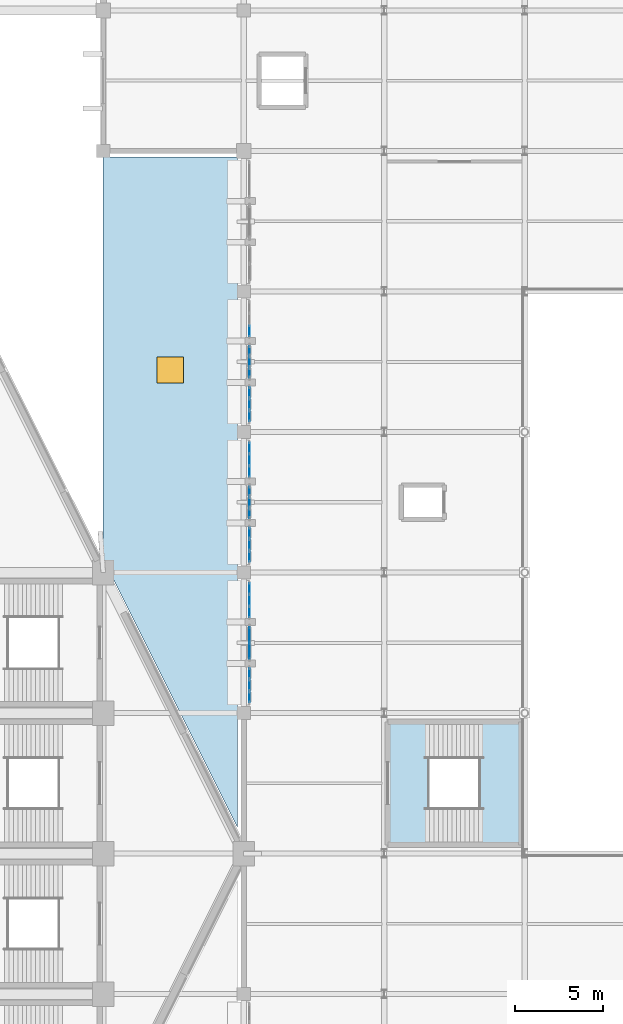
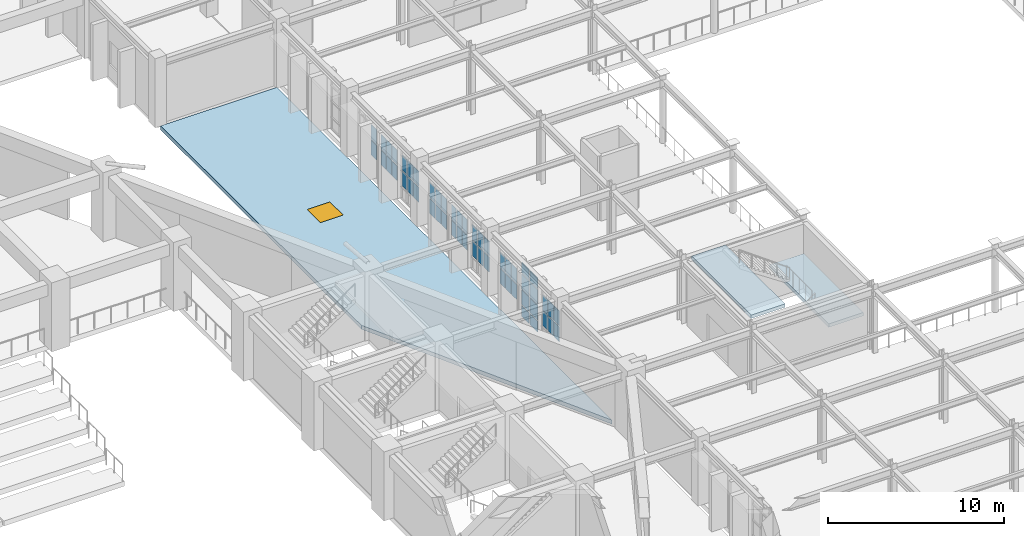
# One storey, part 113 of 155: 52 plates, 3 slabs, 1 window, 1 opening, 10 elements without a shape of their own.
"""IFC4 building model written with IfcOpenShell, lengths in metres."""

from ifc_helpers import new_model, si_unit, direction, frame, origin, origin_2d, place, context, subcontext, project, spatial, polyline, rectangle, outline, extrude, material, layer, layer_set, type_object, element, fill, aggregate, save


model = new_model("IFC4")

# Units and contexts
model_context = context("Model", 3, precision=1e-05, world=origin(), true_north=direction((0.0, 1.0)))
body_context = subcontext(model_context, "Body", "Model", "MODEL_VIEW")
ifc_project = project(units=[si_unit("LENGTHUNIT", "METRE"), si_unit("AREAUNIT", "SQUARE_METRE"), si_unit("VOLUMEUNIT", "CUBIC_METRE"), si_unit("PLANEANGLEUNIT", "RADIAN"), si_unit("MASSUNIT", "GRAM", prefix="KILO")], contexts=[model_context])

# Site, building, storey
site_placement = place(None, origin())
site = spatial("IfcSite", under=ifc_project, at=site_placement, CompositionType="ELEMENT")
building_placement = place(site_placement, origin())
building = spatial("IfcBuilding", under=site, at=building_placement, Name="Tazarka Park Arena", CompositionType="ELEMENT")
storey_placement = place(building_placement, frame((0.0, 0.0, 5.39990234375)))
storey = spatial("IfcBuildingStorey", under=building, at=storey_placement, Name="L01", CompositionType="ELEMENT", Elevation=5.39990234375)

# Curtain wall, plates
ifc_material_1 = material(Name="Aluminium and low-e glass", Category="aluminium")
ifc_layer_1 = layer(ifc_material_1, 0.179931640625, Name="Aluminium and low-e glass")
ifc_layer_set_1 = layer_set([ifc_layer_1], Name="Aluminium and low-e glass")
curtain_wall_type_1 = type_object("IfcCurtainWallType", Name="CW-03", PredefinedType="NOTDEFINED", material=ifc_layer_set_1)
curtain_wall_1_placement = place(storey_placement, origin())
curtain_wall_1 = element("IfcCurtainWall", 1, at=curtain_wall_1_placement, inside=storey, type_object=curtain_wall_type_1, Name="Curtain Wall CWA-L01-153", PredefinedType="NOTDEFINED")
ifc_material_2 = material(Name="Double low-e insulated glazing", Category="glass")
ifc_layer_2 = layer(ifc_material_2, 0.028076171875, Name="Double low-e insulated glazing")
ifc_layer_set_2 = layer_set([ifc_layer_2], Name="Double low-e insulated glazing")
plate_type_1 = type_object("IfcPlateType", Name="CWP-01", PredefinedType="CURTAIN_PANEL", material=ifc_layer_set_2)
plate_1_placement = place(storey_placement, frame((136.320068359375, 93.750244140625, 0.8828125), z_axis=(0.0, 0.0, 1.0), x_axis=(0.0, 1.0, 0.0)))
plate_1 = element("IfcPlate", 2, at=plate_1_placement, type_object=plate_type_1, Name="CW-03 panel 1.2", PredefinedType="CURTAIN_PANEL", context=body_context, shape_type="SweptSolid", body=[
    extrude(rectangle(XDim=0.5869140625, YDim=0.028076171875, at=origin_2d()), origin(), (0.0, 0.0, 1.0), 1.034912109375),
])
plate_2_placement = place(storey_placement, frame((136.320068359375, 93.750244140625, 1.982421875), z_axis=(0.0, 0.0, 1.0), x_axis=(0.0, 1.0, 0.0)))
plate_2 = element("IfcPlate", 3, at=plate_2_placement, type_object=plate_type_1, Name="CW-03 panel 1.3", PredefinedType="CURTAIN_PANEL", context=body_context, shape_type="SweptSolid", body=[
    extrude(rectangle(XDim=0.5869140625, YDim=0.028076171875, at=origin_2d()), origin(), (0.0, 0.0, 1.0), 1.034912109375),
])
aggregate(curtain_wall_1, [plate_1, plate_2])

ifc_material_3 = material(Name="Aluminium and low-e glass", Category="aluminium")
ifc_layer_3 = layer(ifc_material_3, 0.179931640625, Name="Aluminium and low-e glass")
ifc_layer_set_3 = layer_set([ifc_layer_3], Name="Aluminium and low-e glass")
curtain_wall_type_2 = type_object("IfcCurtainWallType", Name="CW-06", PredefinedType="NOTDEFINED", material=ifc_layer_set_3)
curtain_wall_2_placement = place(storey_placement, origin())
curtain_wall_2 = element("IfcCurtainWall", 4, at=curtain_wall_2_placement, inside=storey, type_object=curtain_wall_type_2, Name="Curtain Wall CWA-L01-156", PredefinedType="NOTDEFINED")
plate_3_placement = place(storey_placement, frame((136.320068359375, 85.750244140625, 0.8828125), z_axis=(0.0, 0.0, 1.0), x_axis=(0.0, 1.0, 0.0)))
plate_3 = element("IfcPlate", 5, at=plate_3_placement, type_object=plate_type_1, Name="CW-06 panel 1.2", PredefinedType="CURTAIN_PANEL", context=body_context, shape_type="SweptSolid", body=[
    extrude(rectangle(XDim=0.5869140625, YDim=0.028076171875, at=origin_2d()), origin(), (0.0, 0.0, 1.0), 1.034912109375),
])
plate_4_placement = place(storey_placement, frame((136.320068359375, 85.750244140625, 1.982421875), z_axis=(0.0, 0.0, 1.0), x_axis=(0.0, 1.0, 0.0)))
plate_4 = element("IfcPlate", 6, at=plate_4_placement, type_object=plate_type_1, Name="CW-06 panel 1.3", PredefinedType="CURTAIN_PANEL", context=body_context, shape_type="SweptSolid", body=[
    extrude(rectangle(XDim=0.5869140625, YDim=0.028076171875, at=origin_2d()), origin(), (0.0, 0.0, 1.0), 1.034912109375),
])
plate_5_placement = place(storey_placement, frame((136.320068359375, 86.41845703125, 0.8828125), z_axis=(0.0, 0.0, 1.0), x_axis=(0.0, 1.0, 0.0)))
plate_5 = element("IfcPlate", 7, at=plate_5_placement, type_object=plate_type_1, Name="CW-06 panel 2.2", PredefinedType="CURTAIN_PANEL", context=body_context, shape_type="SweptSolid", body=[
    extrude(rectangle(XDim=0.619384765625, YDim=0.028076171875, at=origin_2d()), origin(), (0.0, 0.0, 1.0), 1.034912109375),
])
plate_6_placement = place(storey_placement, frame((136.320068359375, 86.41845703125, 1.982421875), z_axis=(0.0, 0.0, 1.0), x_axis=(0.0, 1.0, 0.0)))
plate_6 = element("IfcPlate", 8, at=plate_6_placement, type_object=plate_type_1, Name="CW-06 panel 2.3", PredefinedType="CURTAIN_PANEL", context=body_context, shape_type="SweptSolid", body=[
    extrude(rectangle(XDim=0.619384765625, YDim=0.028076171875, at=origin_2d()), origin(), (0.0, 0.0, 1.0), 1.034912109375),
])
plate_7_placement = place(storey_placement, frame((136.320068359375, 87.08642578125, 0.8828125), z_axis=(0.0, 0.0, 1.0), x_axis=(0.0, 1.0, 0.0)))
plate_7 = element("IfcPlate", 9, at=plate_7_placement, type_object=plate_type_1, Name="CW-06 panel 3.2", PredefinedType="CURTAIN_PANEL", context=body_context, shape_type="SweptSolid", body=[
    extrude(rectangle(XDim=0.5869140625, YDim=0.028076171875, at=origin_2d()), origin(), (0.0, 0.0, 1.0), 1.034912109375),
])
plate_8_placement = place(storey_placement, frame((136.320068359375, 87.08642578125, 1.982421875), z_axis=(0.0, 0.0, 1.0), x_axis=(0.0, 1.0, 0.0)))
plate_8 = element("IfcPlate", 10, at=plate_8_placement, type_object=plate_type_1, Name="CW-06 panel 3.3", PredefinedType="CURTAIN_PANEL", context=body_context, shape_type="SweptSolid", body=[
    extrude(rectangle(XDim=0.5869140625, YDim=0.028076171875, at=origin_2d()), origin(), (0.0, 0.0, 1.0), 1.034912109375),
])
aggregate(curtain_wall_2, [plate_3, plate_4, plate_5, plate_6, plate_7, plate_8])

ifc_material_4 = material(Name="Aluminium and low-e glass", Category="aluminium")
ifc_layer_4 = layer(ifc_material_4, 0.179931640625, Name="Aluminium and low-e glass")
ifc_layer_set_4 = layer_set([ifc_layer_4], Name="Aluminium and low-e glass")
curtain_wall_type_3 = type_object("IfcCurtainWallType", Name="CW-09", PredefinedType="NOTDEFINED", material=ifc_layer_set_4)
curtain_wall_3_placement = place(storey_placement, origin())
curtain_wall_3 = element("IfcCurtainWall", 11, at=curtain_wall_3_placement, inside=storey, type_object=curtain_wall_type_3, Name="Curtain Wall CWA-L01-159", PredefinedType="NOTDEFINED")
plate_9_placement = place(storey_placement, frame((136.320068359375, 77.750244140625, 0.8828125), z_axis=(0.0, 0.0, 1.0), x_axis=(0.0, 1.0, 0.0)))
plate_9 = element("IfcPlate", 12, at=plate_9_placement, type_object=plate_type_1, Name="CW-09 panel 1.2", PredefinedType="CURTAIN_PANEL", context=body_context, shape_type="SweptSolid", body=[
    extrude(rectangle(XDim=0.5869140625, YDim=0.028076171875, at=origin_2d()), origin(), (0.0, 0.0, 1.0), 1.034912109375),
])
plate_10_placement = place(storey_placement, frame((136.320068359375, 77.750244140625, 1.982421875), z_axis=(0.0, 0.0, 1.0), x_axis=(0.0, 1.0, 0.0)))
plate_10 = element("IfcPlate", 13, at=plate_10_placement, type_object=plate_type_1, Name="CW-09 panel 1.3", PredefinedType="CURTAIN_PANEL", context=body_context, shape_type="SweptSolid", body=[
    extrude(rectangle(XDim=0.5869140625, YDim=0.028076171875, at=origin_2d()), origin(), (0.0, 0.0, 1.0), 1.034912109375),
])
plate_11_placement = place(storey_placement, frame((136.320068359375, 78.41845703125, 0.8828125), z_axis=(0.0, 0.0, 1.0), x_axis=(0.0, 1.0, 0.0)))
plate_11 = element("IfcPlate", 14, at=plate_11_placement, type_object=plate_type_1, Name="CW-09 panel 2.2", PredefinedType="CURTAIN_PANEL", context=body_context, shape_type="SweptSolid", body=[
    extrude(rectangle(XDim=0.619384765625, YDim=0.028076171875, at=origin_2d()), origin(), (0.0, 0.0, 1.0), 1.034912109375),
])
plate_12_placement = place(storey_placement, frame((136.320068359375, 78.41845703125, 1.982421875), z_axis=(0.0, 0.0, 1.0), x_axis=(0.0, 1.0, 0.0)))
plate_12 = element("IfcPlate", 15, at=plate_12_placement, type_object=plate_type_1, Name="CW-09 panel 2.3", PredefinedType="CURTAIN_PANEL", context=body_context, shape_type="SweptSolid", body=[
    extrude(rectangle(XDim=0.619384765625, YDim=0.028076171875, at=origin_2d()), origin(), (0.0, 0.0, 1.0), 1.034912109375),
])
plate_13_placement = place(storey_placement, frame((136.320068359375, 79.08642578125, 0.8828125), z_axis=(0.0, 0.0, 1.0), x_axis=(0.0, 1.0, 0.0)))
plate_13 = element("IfcPlate", 16, at=plate_13_placement, type_object=plate_type_1, Name="CW-09 panel 3.2", PredefinedType="CURTAIN_PANEL", context=body_context, shape_type="SweptSolid", body=[
    extrude(rectangle(XDim=0.5869140625, YDim=0.028076171875, at=origin_2d()), origin(), (0.0, 0.0, 1.0), 1.034912109375),
])
plate_14_placement = place(storey_placement, frame((136.320068359375, 79.08642578125, 1.982421875), z_axis=(0.0, 0.0, 1.0), x_axis=(0.0, 1.0, 0.0)))
plate_14 = element("IfcPlate", 17, at=plate_14_placement, type_object=plate_type_1, Name="CW-09 panel 3.3", PredefinedType="CURTAIN_PANEL", context=body_context, shape_type="SweptSolid", body=[
    extrude(rectangle(XDim=0.5869140625, YDim=0.028076171875, at=origin_2d()), origin(), (0.0, 0.0, 1.0), 1.034912109375),
])
aggregate(curtain_wall_3, [plate_9, plate_10, plate_11, plate_12, plate_13, plate_14])

ifc_material_5 = material(Name="Aluminium and low-e glass", Category="aluminium")
ifc_layer_5 = layer(ifc_material_5, 0.179931640625, Name="Aluminium and low-e glass")
ifc_layer_set_5 = layer_set([ifc_layer_5], Name="Aluminium and low-e glass")
curtain_wall_type_4 = type_object("IfcCurtainWallType", Name="CW-01", PredefinedType="NOTDEFINED", material=ifc_layer_set_5)
curtain_wall_4_placement = place(storey_placement, origin())
curtain_wall_4 = element("IfcCurtainWall", 18, at=curtain_wall_4_placement, inside=storey, type_object=curtain_wall_type_4, Name="Curtain Wall CWA-L01-151", PredefinedType="NOTDEFINED")
ifc_material_6 = material(Name="Triple acoustic solar glazing", Category="glass")
ifc_layer_6 = layer(ifc_material_6, 0.031982421875, Name="Triple acoustic solar glazing")
ifc_layer_set_6 = layer_set([ifc_layer_6], Name="Triple acoustic solar glazing")
plate_type_2 = type_object("IfcPlateType", Name="CWP-02", PredefinedType="CURTAIN_PANEL", material=ifc_layer_set_6)
plate_15_placement = place(storey_placement, frame((136.320068359375, 88.91357421875, 0.8828125), z_axis=(0.0, 0.0, 1.0), x_axis=(0.0, 1.0, 0.0)))
plate_15 = element("IfcPlate", 19, at=plate_15_placement, type_object=plate_type_2, Name="CW-01 panel 1.2", PredefinedType="CURTAIN_PANEL", context=body_context, shape_type="SweptSolid", body=[
    extrude(rectangle(XDim=0.5869140625, YDim=0.031982421875, at=origin_2d()), origin(), (0.0, 0.0, 1.0), 1.034912109375),
])
plate_16_placement = place(storey_placement, frame((136.320068359375, 88.91357421875, 1.982421875), z_axis=(0.0, 0.0, 1.0), x_axis=(0.0, 1.0, 0.0)))
plate_16 = element("IfcPlate", 20, at=plate_16_placement, type_object=plate_type_2, Name="CW-01 panel 1.3", PredefinedType="CURTAIN_PANEL", context=body_context, shape_type="SweptSolid", body=[
    extrude(rectangle(XDim=0.5869140625, YDim=0.031982421875, at=origin_2d()), origin(), (0.0, 0.0, 1.0), 1.034912109375),
])
plate_17_placement = place(storey_placement, frame((136.320068359375, 89.58154296875, 0.8828125), z_axis=(0.0, 0.0, 1.0), x_axis=(0.0, 1.0, 0.0)))
plate_17 = element("IfcPlate", 21, at=plate_17_placement, type_object=plate_type_2, Name="CW-01 panel 2.2", PredefinedType="CURTAIN_PANEL", context=body_context, shape_type="SweptSolid", body=[
    extrude(rectangle(XDim=0.619384765625, YDim=0.031982421875, at=origin_2d()), origin(), (0.0, 0.0, 1.0), 1.034912109375),
])
plate_18_placement = place(storey_placement, frame((136.320068359375, 89.58154296875, 1.982421875), z_axis=(0.0, 0.0, 1.0), x_axis=(0.0, 1.0, 0.0)))
plate_18 = element("IfcPlate", 22, at=plate_18_placement, type_object=plate_type_2, Name="CW-01 panel 2.3", PredefinedType="CURTAIN_PANEL", context=body_context, shape_type="SweptSolid", body=[
    extrude(rectangle(XDim=0.619384765625, YDim=0.031982421875, at=origin_2d()), origin(), (0.0, 0.0, 1.0), 1.034912109375),
])
plate_19_placement = place(storey_placement, frame((136.320068359375, 90.249755859375, 0.8828125), z_axis=(0.0, 0.0, 1.0), x_axis=(0.0, 1.0, 0.0)))
plate_19 = element("IfcPlate", 23, at=plate_19_placement, type_object=plate_type_2, Name="CW-01 panel 3.2", PredefinedType="CURTAIN_PANEL", context=body_context, shape_type="SweptSolid", body=[
    extrude(rectangle(XDim=0.5869140625, YDim=0.031982421875, at=origin_2d()), origin(), (0.0, 0.0, 1.0), 1.034912109375),
])
plate_20_placement = place(storey_placement, frame((136.320068359375, 90.249755859375, 1.982421875), z_axis=(0.0, 0.0, 1.0), x_axis=(0.0, 1.0, 0.0)))
plate_20 = element("IfcPlate", 24, at=plate_20_placement, type_object=plate_type_2, Name="CW-01 panel 3.3", PredefinedType="CURTAIN_PANEL", context=body_context, shape_type="SweptSolid", body=[
    extrude(rectangle(XDim=0.5869140625, YDim=0.031982421875, at=origin_2d()), origin(), (0.0, 0.0, 1.0), 1.034912109375),
])
aggregate(curtain_wall_4, [plate_15, plate_16, plate_17, plate_18, plate_19, plate_20])

ifc_material_7 = material(Name="Aluminium and low-e glass", Category="aluminium")
ifc_layer_7 = layer(ifc_material_7, 0.179931640625, Name="Aluminium and low-e glass")
ifc_layer_set_7 = layer_set([ifc_layer_7], Name="Aluminium and low-e glass")
curtain_wall_type_5 = type_object("IfcCurtainWallType", Name="CW-04", PredefinedType="NOTDEFINED", material=ifc_layer_set_7)
curtain_wall_5_placement = place(storey_placement, origin())
curtain_wall_5 = element("IfcCurtainWall", 25, at=curtain_wall_5_placement, inside=storey, type_object=curtain_wall_type_5, Name="Curtain Wall CWA-L01-154", PredefinedType="NOTDEFINED")
plate_21_placement = place(storey_placement, frame((136.320068359375, 80.91357421875, 0.8828125), z_axis=(0.0, 0.0, 1.0), x_axis=(0.0, 1.0, 0.0)))
plate_21 = element("IfcPlate", 26, at=plate_21_placement, type_object=plate_type_2, Name="CW-04 panel 1.2", PredefinedType="CURTAIN_PANEL", context=body_context, shape_type="SweptSolid", body=[
    extrude(rectangle(XDim=0.5869140625, YDim=0.031982421875, at=origin_2d()), origin(), (0.0, 0.0, 1.0), 1.034912109375),
])
plate_22_placement = place(storey_placement, frame((136.320068359375, 80.91357421875, 1.982421875), z_axis=(0.0, 0.0, 1.0), x_axis=(0.0, 1.0, 0.0)))
plate_22 = element("IfcPlate", 27, at=plate_22_placement, type_object=plate_type_2, Name="CW-04 panel 1.3", PredefinedType="CURTAIN_PANEL", context=body_context, shape_type="SweptSolid", body=[
    extrude(rectangle(XDim=0.5869140625, YDim=0.031982421875, at=origin_2d()), origin(), (0.0, 0.0, 1.0), 1.034912109375),
])
plate_23_placement = place(storey_placement, frame((136.320068359375, 81.58154296875, 0.8828125), z_axis=(0.0, 0.0, 1.0), x_axis=(0.0, 1.0, 0.0)))
plate_23 = element("IfcPlate", 28, at=plate_23_placement, type_object=plate_type_2, Name="CW-04 panel 2.2", PredefinedType="CURTAIN_PANEL", context=body_context, shape_type="SweptSolid", body=[
    extrude(rectangle(XDim=0.619384765625, YDim=0.031982421875, at=origin_2d()), origin(), (0.0, 0.0, 1.0), 1.034912109375),
])
plate_24_placement = place(storey_placement, frame((136.320068359375, 81.58154296875, 1.982421875), z_axis=(0.0, 0.0, 1.0), x_axis=(0.0, 1.0, 0.0)))
plate_24 = element("IfcPlate", 29, at=plate_24_placement, type_object=plate_type_2, Name="CW-04 panel 2.3", PredefinedType="CURTAIN_PANEL", context=body_context, shape_type="SweptSolid", body=[
    extrude(rectangle(XDim=0.619384765625, YDim=0.031982421875, at=origin_2d()), origin(), (0.0, 0.0, 1.0), 1.034912109375),
])
plate_25_placement = place(storey_placement, frame((136.320068359375, 82.249755859375, 0.8828125), z_axis=(0.0, 0.0, 1.0), x_axis=(0.0, 1.0, 0.0)))
plate_25 = element("IfcPlate", 30, at=plate_25_placement, type_object=plate_type_2, Name="CW-04 panel 3.2", PredefinedType="CURTAIN_PANEL", context=body_context, shape_type="SweptSolid", body=[
    extrude(rectangle(XDim=0.5869140625, YDim=0.031982421875, at=origin_2d()), origin(), (0.0, 0.0, 1.0), 1.034912109375),
])
plate_26_placement = place(storey_placement, frame((136.320068359375, 82.249755859375, 1.982421875), z_axis=(0.0, 0.0, 1.0), x_axis=(0.0, 1.0, 0.0)))
plate_26 = element("IfcPlate", 31, at=plate_26_placement, type_object=plate_type_2, Name="CW-04 panel 3.3", PredefinedType="CURTAIN_PANEL", context=body_context, shape_type="SweptSolid", body=[
    extrude(rectangle(XDim=0.5869140625, YDim=0.031982421875, at=origin_2d()), origin(), (0.0, 0.0, 1.0), 1.034912109375),
])
aggregate(curtain_wall_5, [plate_21, plate_22, plate_23, plate_24, plate_25, plate_26])

ifc_material_8 = material(Name="Aluminium and low-e glass", Category="aluminium")
ifc_layer_8 = layer(ifc_material_8, 0.179931640625, Name="Aluminium and low-e glass")
ifc_layer_set_8 = layer_set([ifc_layer_8], Name="Aluminium and low-e glass")
curtain_wall_type_6 = type_object("IfcCurtainWallType", Name="CW-07", PredefinedType="NOTDEFINED", material=ifc_layer_set_8)
curtain_wall_6_placement = place(storey_placement, origin())
curtain_wall_6 = element("IfcCurtainWall", 32, at=curtain_wall_6_placement, inside=storey, type_object=curtain_wall_type_6, Name="Curtain Wall CWA-L01-157", PredefinedType="NOTDEFINED")
plate_27_placement = place(storey_placement, frame((136.320068359375, 72.91357421875, 0.8828125), z_axis=(0.0, 0.0, 1.0), x_axis=(0.0, 1.0, 0.0)))
plate_27 = element("IfcPlate", 33, at=plate_27_placement, type_object=plate_type_2, Name="CW-07 panel 1.2", PredefinedType="CURTAIN_PANEL", context=body_context, shape_type="SweptSolid", body=[
    extrude(rectangle(XDim=0.5869140625, YDim=0.031982421875, at=origin_2d()), origin(), (0.0, 0.0, 1.0), 1.034912109375),
])
plate_28_placement = place(storey_placement, frame((136.320068359375, 72.91357421875, 1.982421875), z_axis=(0.0, 0.0, 1.0), x_axis=(0.0, 1.0, 0.0)))
plate_28 = element("IfcPlate", 34, at=plate_28_placement, type_object=plate_type_2, Name="CW-07 panel 1.3", PredefinedType="CURTAIN_PANEL", context=body_context, shape_type="SweptSolid", body=[
    extrude(rectangle(XDim=0.5869140625, YDim=0.031982421875, at=origin_2d()), origin(), (0.0, 0.0, 1.0), 1.034912109375),
])
plate_29_placement = place(storey_placement, frame((136.320068359375, 73.58154296875, 0.8828125), z_axis=(0.0, 0.0, 1.0), x_axis=(0.0, 1.0, 0.0)))
plate_29 = element("IfcPlate", 35, at=plate_29_placement, type_object=plate_type_2, Name="CW-07 panel 2.2", PredefinedType="CURTAIN_PANEL", context=body_context, shape_type="SweptSolid", body=[
    extrude(rectangle(XDim=0.619384765625, YDim=0.031982421875, at=origin_2d()), origin(), (0.0, 0.0, 1.0), 1.034912109375),
])
plate_30_placement = place(storey_placement, frame((136.320068359375, 73.58154296875, 1.982421875), z_axis=(0.0, 0.0, 1.0), x_axis=(0.0, 1.0, 0.0)))
plate_30 = element("IfcPlate", 36, at=plate_30_placement, type_object=plate_type_2, Name="CW-07 panel 2.3", PredefinedType="CURTAIN_PANEL", context=body_context, shape_type="SweptSolid", body=[
    extrude(rectangle(XDim=0.619384765625, YDim=0.031982421875, at=origin_2d()), origin(), (0.0, 0.0, 1.0), 1.034912109375),
])
plate_31_placement = place(storey_placement, frame((136.320068359375, 74.249755859375, 0.8828125), z_axis=(0.0, 0.0, 1.0), x_axis=(0.0, 1.0, 0.0)))
plate_31 = element("IfcPlate", 37, at=plate_31_placement, type_object=plate_type_2, Name="CW-07 panel 3.2", PredefinedType="CURTAIN_PANEL", context=body_context, shape_type="SweptSolid", body=[
    extrude(rectangle(XDim=0.5869140625, YDim=0.031982421875, at=origin_2d()), origin(), (0.0, 0.0, 1.0), 1.034912109375),
])
plate_32_placement = place(storey_placement, frame((136.320068359375, 74.249755859375, 1.982421875), z_axis=(0.0, 0.0, 1.0), x_axis=(0.0, 1.0, 0.0)))
plate_32 = element("IfcPlate", 38, at=plate_32_placement, type_object=plate_type_2, Name="CW-07 panel 3.3", PredefinedType="CURTAIN_PANEL", context=body_context, shape_type="SweptSolid", body=[
    extrude(rectangle(XDim=0.5869140625, YDim=0.031982421875, at=origin_2d()), origin(), (0.0, 0.0, 1.0), 1.034912109375),
])
aggregate(curtain_wall_6, [plate_27, plate_28, plate_29, plate_30, plate_31, plate_32])

ifc_material_9 = material(Name="Aluminium and low-e glass", Category="aluminium")
ifc_layer_9 = layer(ifc_material_9, 0.179931640625, Name="Aluminium and low-e glass")
ifc_layer_set_9 = layer_set([ifc_layer_9], Name="Aluminium and low-e glass")
curtain_wall_type_7 = type_object("IfcCurtainWallType", Name="CW-02", PredefinedType="NOTDEFINED", material=ifc_layer_set_9)
curtain_wall_7_placement = place(storey_placement, origin())
curtain_wall_7 = element("IfcCurtainWall", 39, at=curtain_wall_7_placement, inside=storey, type_object=curtain_wall_type_7, Name="Curtain Wall CWA-L01-152", PredefinedType="NOTDEFINED")
ifc_material_10 = material(Name="Insulated aluminium spandrel panel", Category="aluminium")
ifc_layer_10 = layer(ifc_material_10, 0.035888671875, Name="Insulated aluminium spandrel panel")
ifc_layer_set_10 = layer_set([ifc_layer_10], Name="Insulated aluminium spandrel panel")
plate_type_3 = type_object("IfcPlateType", Name="CWP-03", PredefinedType="CURTAIN_PANEL", material=ifc_layer_set_10)
plate_33_placement = place(storey_placement, frame((136.320068359375, 91.370849609375, 0.8876953125), z_axis=(0.0, 0.0, 1.0), x_axis=(0.0, 1.0, 0.0)))
plate_33 = element("IfcPlate", 40, at=plate_33_placement, type_object=plate_type_3, Name="CW-02 panel 1.2", PredefinedType="CURTAIN_PANEL", context=body_context, shape_type="SweptSolid", body=[
    extrude(rectangle(XDim=0.535400390625, YDim=0.035888671875, at=origin_2d()), origin(), (0.0, 0.0, 1.0), 1.02490234375),
])
plate_34_placement = place(storey_placement, frame((136.320068359375, 91.370849609375, 1.987548828125), z_axis=(0.0, 0.0, 1.0), x_axis=(0.0, 1.0, 0.0)))
plate_34 = element("IfcPlate", 41, at=plate_34_placement, type_object=plate_type_3, Name="CW-02 panel 1.3", PredefinedType="CURTAIN_PANEL", context=body_context, shape_type="SweptSolid", body=[
    extrude(rectangle(XDim=0.535400390625, YDim=0.035888671875, at=origin_2d()), origin(), (0.0, 0.0, 1.0), 1.02490234375),
])
plate_35_placement = place(storey_placement, frame((136.320068359375, 92.0, 0.8876953125), z_axis=(0.0, 0.0, 1.0), x_axis=(0.0, 1.0, 0.0)))
plate_35 = element("IfcPlate", 42, at=plate_35_placement, type_object=plate_type_3, Name="CW-02 panel 2.2", PredefinedType="CURTAIN_PANEL", context=body_context, shape_type="SweptSolid", body=[
    extrude(rectangle(XDim=0.57275390625, YDim=0.035888671875, at=origin_2d()), origin(), (0.0, 0.0, 1.0), 1.02490234375),
])
plate_36_placement = place(storey_placement, frame((136.320068359375, 92.0, 1.987548828125), z_axis=(0.0, 0.0, 1.0), x_axis=(0.0, 1.0, 0.0)))
plate_36 = element("IfcPlate", 43, at=plate_36_placement, type_object=plate_type_3, Name="CW-02 panel 2.3", PredefinedType="CURTAIN_PANEL", context=body_context, shape_type="SweptSolid", body=[
    extrude(rectangle(XDim=0.57275390625, YDim=0.035888671875, at=origin_2d()), origin(), (0.0, 0.0, 1.0), 1.02490234375),
])
plate_37_placement = place(storey_placement, frame((136.320068359375, 92.629150390625, 0.8876953125), z_axis=(0.0, 0.0, 1.0), x_axis=(0.0, 1.0, 0.0)))
plate_37 = element("IfcPlate", 44, at=plate_37_placement, type_object=plate_type_3, Name="CW-02 panel 3.2", PredefinedType="CURTAIN_PANEL", context=body_context, shape_type="SweptSolid", body=[
    extrude(rectangle(XDim=0.535400390625, YDim=0.035888671875, at=origin_2d()), origin(), (0.0, 0.0, 1.0), 1.02490234375),
])
plate_38_placement = place(storey_placement, frame((136.320068359375, 92.629150390625, 1.987548828125), z_axis=(0.0, 0.0, 1.0), x_axis=(0.0, 1.0, 0.0)))
plate_38 = element("IfcPlate", 45, at=plate_38_placement, type_object=plate_type_3, Name="CW-02 panel 3.3", PredefinedType="CURTAIN_PANEL", context=body_context, shape_type="SweptSolid", body=[
    extrude(rectangle(XDim=0.535400390625, YDim=0.035888671875, at=origin_2d()), origin(), (0.0, 0.0, 1.0), 1.02490234375),
])
aggregate(curtain_wall_7, [plate_33, plate_34, plate_35, plate_36, plate_37, plate_38])

ifc_material_11 = material(Name="Aluminium and low-e glass", Category="aluminium")
ifc_layer_11 = layer(ifc_material_11, 0.179931640625, Name="Aluminium and low-e glass")
ifc_layer_set_11 = layer_set([ifc_layer_11], Name="Aluminium and low-e glass")
curtain_wall_type_8 = type_object("IfcCurtainWallType", Name="CW-05", PredefinedType="NOTDEFINED", material=ifc_layer_set_11)
curtain_wall_8_placement = place(storey_placement, origin())
curtain_wall_8 = element("IfcCurtainWall", 46, at=curtain_wall_8_placement, inside=storey, type_object=curtain_wall_type_8, Name="Curtain Wall CWA-L01-155", PredefinedType="NOTDEFINED")
plate_39_placement = place(storey_placement, frame((136.320068359375, 83.370849609375, 0.8876953125), z_axis=(0.0, 0.0, 1.0), x_axis=(0.0, 1.0, 0.0)))
plate_39 = element("IfcPlate", 47, at=plate_39_placement, type_object=plate_type_3, Name="CW-05 panel 1.2", PredefinedType="CURTAIN_PANEL", context=body_context, shape_type="SweptSolid", body=[
    extrude(rectangle(XDim=0.535400390625, YDim=0.035888671875, at=origin_2d()), origin(), (0.0, 0.0, 1.0), 1.02490234375),
])
plate_40_placement = place(storey_placement, frame((136.320068359375, 83.370849609375, 1.987548828125), z_axis=(0.0, 0.0, 1.0), x_axis=(0.0, 1.0, 0.0)))
plate_40 = element("IfcPlate", 48, at=plate_40_placement, type_object=plate_type_3, Name="CW-05 panel 1.3", PredefinedType="CURTAIN_PANEL", context=body_context, shape_type="SweptSolid", body=[
    extrude(rectangle(XDim=0.535400390625, YDim=0.035888671875, at=origin_2d()), origin(), (0.0, 0.0, 1.0), 1.02490234375),
])
plate_41_placement = place(storey_placement, frame((136.320068359375, 84.0, 0.8876953125), z_axis=(0.0, 0.0, 1.0), x_axis=(0.0, 1.0, 0.0)))
plate_41 = element("IfcPlate", 49, at=plate_41_placement, type_object=plate_type_3, Name="CW-05 panel 2.2", PredefinedType="CURTAIN_PANEL", context=body_context, shape_type="SweptSolid", body=[
    extrude(rectangle(XDim=0.57275390625, YDim=0.035888671875, at=origin_2d()), origin(), (0.0, 0.0, 1.0), 1.02490234375),
])
plate_42_placement = place(storey_placement, frame((136.320068359375, 84.0, 1.987548828125), z_axis=(0.0, 0.0, 1.0), x_axis=(0.0, 1.0, 0.0)))
plate_42 = element("IfcPlate", 50, at=plate_42_placement, type_object=plate_type_3, Name="CW-05 panel 2.3", PredefinedType="CURTAIN_PANEL", context=body_context, shape_type="SweptSolid", body=[
    extrude(rectangle(XDim=0.57275390625, YDim=0.035888671875, at=origin_2d()), origin(), (0.0, 0.0, 1.0), 1.02490234375),
])
plate_43_placement = place(storey_placement, frame((136.320068359375, 84.629150390625, 0.8876953125), z_axis=(0.0, 0.0, 1.0), x_axis=(0.0, 1.0, 0.0)))
plate_43 = element("IfcPlate", 51, at=plate_43_placement, type_object=plate_type_3, Name="CW-05 panel 3.2", PredefinedType="CURTAIN_PANEL", context=body_context, shape_type="SweptSolid", body=[
    extrude(rectangle(XDim=0.535400390625, YDim=0.035888671875, at=origin_2d()), origin(), (0.0, 0.0, 1.0), 1.02490234375),
])
plate_44_placement = place(storey_placement, frame((136.320068359375, 84.629150390625, 1.987548828125), z_axis=(0.0, 0.0, 1.0), x_axis=(0.0, 1.0, 0.0)))
plate_44 = element("IfcPlate", 52, at=plate_44_placement, type_object=plate_type_3, Name="CW-05 panel 3.3", PredefinedType="CURTAIN_PANEL", context=body_context, shape_type="SweptSolid", body=[
    extrude(rectangle(XDim=0.535400390625, YDim=0.035888671875, at=origin_2d()), origin(), (0.0, 0.0, 1.0), 1.02490234375),
])
aggregate(curtain_wall_8, [plate_39, plate_40, plate_41, plate_42, plate_43, plate_44])

ifc_material_12 = material(Name="Aluminium and low-e glass", Category="aluminium")
ifc_layer_12 = layer(ifc_material_12, 0.179931640625, Name="Aluminium and low-e glass")
ifc_layer_set_12 = layer_set([ifc_layer_12], Name="Aluminium and low-e glass")
curtain_wall_type_9 = type_object("IfcCurtainWallType", Name="CW-08", PredefinedType="NOTDEFINED", material=ifc_layer_set_12)
curtain_wall_9_placement = place(storey_placement, origin())
curtain_wall_9 = element("IfcCurtainWall", 53, at=curtain_wall_9_placement, inside=storey, type_object=curtain_wall_type_9, Name="Curtain Wall CWA-L01-158", PredefinedType="NOTDEFINED")
plate_45_placement = place(storey_placement, frame((136.320068359375, 75.532958984375, 0.0751953125), z_axis=(0.0, 0.0, 1.0), x_axis=(0.0, 1.0, 0.0)))
plate_45 = element("IfcPlate", 54, at=plate_45_placement, type_object=plate_type_3, Name="CW-08 panel 1.1", PredefinedType="CURTAIN_PANEL", context=body_context, shape_type="SweptSolid", body=[
    extrude(rectangle(XDim=0.859130859375, YDim=0.035888671875, at=origin_2d()), origin(), (0.0, 0.0, 1.0), 0.737548828125),
])
plate_46_placement = place(storey_placement, frame((136.320068359375, 75.532958984375, 0.8876953125), z_axis=(0.0, 0.0, 1.0), x_axis=(0.0, 1.0, 0.0)))
plate_46 = element("IfcPlate", 55, at=plate_46_placement, type_object=plate_type_3, Name="CW-08 panel 1.2", PredefinedType="CURTAIN_PANEL", context=body_context, shape_type="SweptSolid", body=[
    extrude(rectangle(XDim=0.859130859375, YDim=0.035888671875, at=origin_2d()), origin(), (0.0, 0.0, 1.0), 1.02490234375),
])
plate_47_placement = place(storey_placement, frame((136.320068359375, 75.532958984375, 1.987548828125), z_axis=(0.0, 0.0, 1.0), x_axis=(0.0, 1.0, 0.0)))
plate_47 = element("IfcPlate", 56, at=plate_47_placement, type_object=plate_type_3, Name="CW-08 panel 1.3", PredefinedType="CURTAIN_PANEL", context=body_context, shape_type="SweptSolid", body=[
    extrude(rectangle(XDim=0.859130859375, YDim=0.035888671875, at=origin_2d()), origin(), (0.0, 0.0, 1.0), 1.02490234375),
])
plate_48_placement = place(storey_placement, frame((136.320068359375, 75.532958984375, 3.08740234375), z_axis=(0.0, 0.0, 1.0), x_axis=(0.0, 1.0, 0.0)))
plate_48 = element("IfcPlate", 57, at=plate_48_placement, type_object=plate_type_3, Name="CW-08 panel 1.4", PredefinedType="CURTAIN_PANEL", context=body_context, shape_type="SweptSolid", body=[
    extrude(rectangle(XDim=0.859130859375, YDim=0.035888671875, at=origin_2d()), origin(), (0.0, 0.0, 1.0), 0.737548828125),
])
plate_49_placement = place(storey_placement, frame((136.320068359375, 76.467041015625, 0.0751953125), z_axis=(0.0, 0.0, 1.0), x_axis=(0.0, 1.0, 0.0)))
plate_49 = element("IfcPlate", 58, at=plate_49_placement, type_object=plate_type_3, Name="CW-08 panel 2.1", PredefinedType="CURTAIN_PANEL", context=body_context, shape_type="SweptSolid", body=[
    extrude(rectangle(XDim=0.859130859375, YDim=0.035888671875, at=origin_2d()), origin(), (0.0, 0.0, 1.0), 0.737548828125),
])
plate_50_placement = place(storey_placement, frame((136.320068359375, 76.467041015625, 0.8876953125), z_axis=(0.0, 0.0, 1.0), x_axis=(0.0, 1.0, 0.0)))
plate_50 = element("IfcPlate", 59, at=plate_50_placement, type_object=plate_type_3, Name="CW-08 panel 2.2", PredefinedType="CURTAIN_PANEL", context=body_context, shape_type="SweptSolid", body=[
    extrude(rectangle(XDim=0.859130859375, YDim=0.035888671875, at=origin_2d()), origin(), (0.0, 0.0, 1.0), 1.02490234375),
])
plate_51_placement = place(storey_placement, frame((136.320068359375, 76.467041015625, 1.987548828125), z_axis=(0.0, 0.0, 1.0), x_axis=(0.0, 1.0, 0.0)))
plate_51 = element("IfcPlate", 60, at=plate_51_placement, type_object=plate_type_3, Name="CW-08 panel 2.3", PredefinedType="CURTAIN_PANEL", context=body_context, shape_type="SweptSolid", body=[
    extrude(rectangle(XDim=0.859130859375, YDim=0.035888671875, at=origin_2d()), origin(), (0.0, 0.0, 1.0), 1.02490234375),
])
plate_52_placement = place(storey_placement, frame((136.320068359375, 76.467041015625, 3.08740234375), z_axis=(0.0, 0.0, 1.0), x_axis=(0.0, 1.0, 0.0)))
plate_52 = element("IfcPlate", 61, at=plate_52_placement, type_object=plate_type_3, Name="CW-08 panel 2.4", PredefinedType="CURTAIN_PANEL", context=body_context, shape_type="SweptSolid", body=[
    extrude(rectangle(XDim=0.859130859375, YDim=0.035888671875, at=origin_2d()), origin(), (0.0, 0.0, 1.0), 0.737548828125),
])
aggregate(curtain_wall_9, [plate_45, plate_46, plate_47, plate_48, plate_49, plate_50, plate_51, plate_52])

# Stair, slabs
ifc_material_13 = material(Name="Precast concrete C40/50", Category="concrete")
stair_type = type_object("IfcStairType", Name="STR-2400", PredefinedType="HALF_TURN_STAIR", material=ifc_material_13)
stair_placement = place(storey_placement, origin())
stair = element("IfcStair", 62, at=stair_placement, inside=storey, type_object=stair_type, Name="Stair ST18 L01", PredefinedType="HALF_TURN_STAIR")
ifc_material_14 = material(Name="Precast concrete C40/50", Category="concrete")
ifc_layer_13 = layer(ifc_material_14, 0.22998046875, Name="Precast concrete C40/50")
ifc_layer_set_13 = layer_set([ifc_layer_13], Name="Precast concrete C40/50")
slab_type_1 = type_object("IfcSlabType", Name="LND-03", PredefinedType="LANDING", material=ifc_layer_set_13)
slab_1_placement = place(storey_placement, frame((0.0, 0.0, 2.170166015625)))
slab_1 = element("IfcSlab", 63, at=slab_1_placement, type_object=slab_type_1, Name="ST18-L01 landing 1", PredefinedType="LANDING", context=body_context, shape_type="SweptSolid", body=[
    extrude(outline(polyline([(149.409912109375, 64.610107421875), (151.68994140625, 64.610107421875), (151.68994140625, 71.389892578125), (149.409912109375, 71.389892578125), (149.409912109375, 64.610107421875)])), origin(), (0.0, 0.0, 1.0), 0.22998046875),
])
slab_2_placement = place(storey_placement, frame((0.0, 0.0, 4.570068359375)))
slab_2 = element("IfcSlab", 64, at=slab_2_placement, type_object=slab_type_1, Name="ST18-L01 landing 2", PredefinedType="LANDING", context=body_context, shape_type="SweptSolid", body=[
    extrude(outline(polyline([(144.31005859375, 64.610107421875), (146.534912109375, 64.610107421875), (146.534912109375, 71.389892578125), (144.31005859375, 71.389892578125), (144.31005859375, 64.610107421875)])), origin(), (0.0, 0.0, 1.0), 0.22998046875),
])
aggregate(stair, [slab_1, slab_2])

# Slab, opening, window
ifc_material_15 = material(Name="Concrete C35/45", Category="concrete")
ifc_layer_14 = layer(ifc_material_15, 0.27001953125, Name="Concrete C35/45")
ifc_layer_set_14 = layer_set([ifc_layer_14], Name="Concrete C35/45")
slab_type_2 = type_object("IfcSlabType", Name="SLB-RS-04", PredefinedType="ROOF", material=ifc_layer_set_14)
slab_3_placement = place(storey_placement, frame((0.0, 0.0, -0.27001953125)))
slab_3 = element("IfcSlab", 65, at=slab_3_placement, inside=storey, type_object=slab_type_2, Name="WROOF-L01-06", PredefinedType="ROOF", context=body_context, shape_type="SweptSolid", body=[
    extrude(outline(polyline([(135.64990234375, 103.64990234375), (135.64990234375, 65.482666015625), (128.0, 80.78271484375), (128.0, 103.64990234375), (135.64990234375, 103.64990234375)])), origin(), (0.0, 0.0, 1.0), 0.27001953125),
])
opening_placement = place(slab_3_placement, frame((131.824951171875, 91.52880859375, 0.0)))
opening = element("IfcOpeningElement", 66, at=opening_placement, cuts=slab_3, Name="Opening SK-04", PredefinedType="OPENING", context=body_context, shape_type="SweptSolid", body=[
    extrude(rectangle(XDim=1.5, YDim=1.5, at=origin_2d()), origin(), (0.0, 0.0, 1.0), 0.27001953125),
])
ifc_material_16 = material(Name="Thermally broken aluminium and solar-control low-e glazing", Category="aluminium")
window_type = type_object("IfcWindowType", Name="WIN-SK-04", PartitioningType="DOUBLE_PANEL_VERTICAL", PredefinedType="SKYLIGHT", material=ifc_material_16)
window_placement = place(opening_placement, frame((0.0, 0.0, 0.219970703125)))
window = element("IfcWindow", 67, at=window_placement, inside=storey, type_object=window_type, Name="Smoke Vent Skylight 04", OverallHeight=1.5, OverallWidth=1.5, PartitioningType="SINGLE_PANEL", PredefinedType="SKYLIGHT", context=body_context, shape_type="SweptSolid", body=[
    extrude(rectangle(XDim=1.5, YDim=1.5, at=origin_2d()), origin(), (0.0, 0.0, 1.0), 0.050048828125),
])
fill(opening, window)

save(model, "model.ifc")
